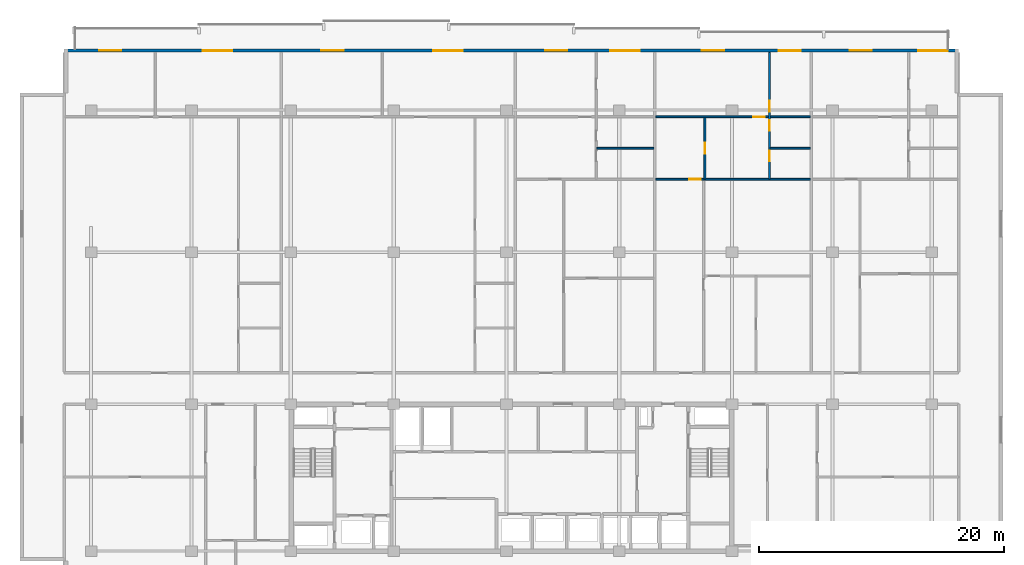
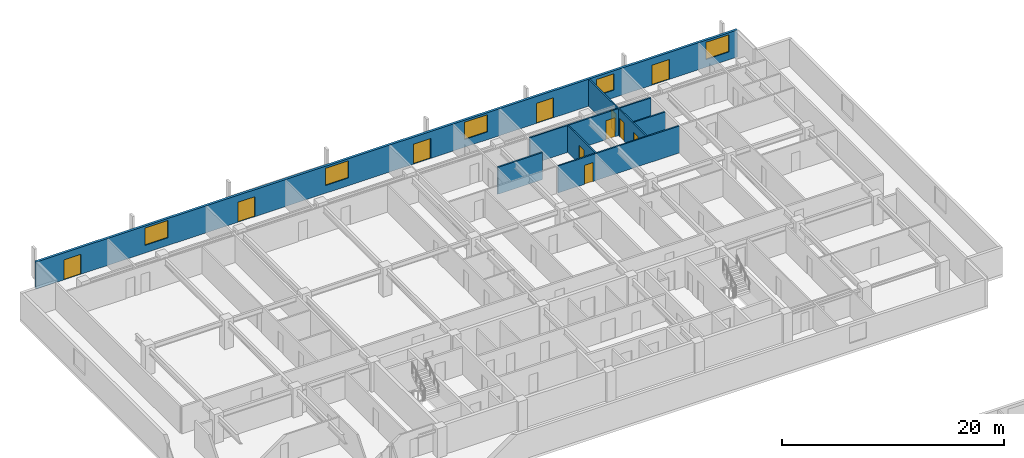
# One storey, part 14 of 21: 11 doors, 7 walls, 5 windows, 16 openings.
"""IFC4 building model written with IfcOpenShell, lengths in metres."""

from ifc_helpers import new_model, si_unit, direction, frame, frame_2d, origin, place, context, subcontext, project, spatial, rectangle, extrude, material, layer, layer_set, type_object, element, fill, save


model = new_model("IFC4")

# Units and contexts
model_context = context("Model", 3, precision=1e-05, world=origin(), true_north=direction((0.0, 1.0)))
body_context = subcontext(model_context, "Body", "Model", "MODEL_VIEW")
ifc_project = project(units=[si_unit("LENGTHUNIT", "METRE"), si_unit("AREAUNIT", "SQUARE_METRE"), si_unit("VOLUMEUNIT", "CUBIC_METRE"), si_unit("PLANEANGLEUNIT", "RADIAN"), si_unit("MASSUNIT", "GRAM", prefix="KILO")], contexts=[model_context])

# Site, building, storey
site_placement = place(None, origin())
site = spatial("IfcSite", under=ifc_project, at=site_placement, CompositionType="ELEMENT")
building_placement = place(site_placement, origin())
building = spatial("IfcBuilding", under=site, at=building_placement, Name="Korimba Cascade Residences", CompositionType="ELEMENT")
storey_placement = place(building_placement, frame((0.0, 0.0, 106.800048828125)))
storey = spatial("IfcBuildingStorey", under=building, at=storey_placement, Name="L30", CompositionType="ELEMENT", Elevation=106.800048828125)

# Wall, openings, doors, windows
ifc_material_1 = material(Name="Precast concrete C40/50", Category="concrete")
ifc_layer_1 = layer(ifc_material_1, 0.25)
ifc_layer_set_1 = layer_set([ifc_layer_1], Name="Precast concrete C40/50")
wall_type_1 = type_object("IfcWallType", Name="EW-LOG-250", PredefinedType="STANDARD", material=ifc_layer_set_1)
wall_1_placement = place(storey_placement, frame((130.60009765625, 96.050048828125, 0.0), z_axis=(0.0, 0.0, 1.0), x_axis=(-1.0, 0.0, 0.0)))
wall_1 = element("IfcWall", 1, at=wall_1_placement, inside=storey, type_object=wall_type_1, Name="L30 T1 Perimeter Stone Wall E06", PredefinedType="STANDARD", context=body_context, shape_type="SweptSolid", body=[
    extrude(rectangle(XDim=73.0, YDim=0.25, at=frame_2d((36.5, 0.0))), origin(), (0.0, 0.0, 1.0), 2.969970703125),
])
opening_1_placement = place(wall_1_placement, frame((68.31884765625, 0.0, 0.0)))
opening_1 = element("IfcOpeningElement", 2, at=opening_1_placement, cuts=wall_1, Name="Opening D-LG1", PredefinedType="OPENING", context=body_context, shape_type="SweptSolid", body=[
    extrude(rectangle(XDim=1.800048828125, YDim=2.199951171875, at=frame_2d((0.89990234375, 1.10009765625))), frame((0.0, 0.135009765625, 0.0), z_axis=(0.0, -1.0, 0.0), x_axis=(1.0, 0.0, 0.0)), (0.0, 0.0, 1.0), 0.27001953125),
])
opening_2_placement = place(wall_1_placement, frame((59.276611328125, 0.0, 0.85009765625)))
opening_2 = element("IfcOpeningElement", 3, at=opening_2_placement, cuts=wall_1, Name="Opening W-01", PredefinedType="OPENING", context=body_context, shape_type="SweptSolid", body=[
    extrude(rectangle(XDim=2.39990234375, YDim=1.89990234375, at=frame_2d((1.199951171875, 0.949951171875))), frame((0.0, 0.135009765625, 0.0), z_axis=(0.0, -1.0, 0.0), x_axis=(1.0, 0.0, 0.0)), (0.0, 0.0, 1.0), 0.27001953125),
])
opening_3_placement = place(wall_1_placement, frame((50.198974609375, 0.0, 0.0)))
opening_3 = element("IfcOpeningElement", 4, at=opening_3_placement, cuts=wall_1, Name="Opening D-LG1", PredefinedType="OPENING", context=body_context, shape_type="SweptSolid", body=[
    extrude(rectangle(XDim=1.800048828125, YDim=2.199951171875, at=frame_2d((0.89990234375, 1.10009765625))), frame((0.0, 0.135009765625, 0.0), z_axis=(0.0, -1.0, 0.0), x_axis=(1.0, 0.0, 0.0)), (0.0, 0.0, 1.0), 0.27001953125),
])
opening_4_placement = place(wall_1_placement, frame((40.48095703125, 0.0, 0.85009765625)))
opening_4 = element("IfcOpeningElement", 5, at=opening_4_placement, cuts=wall_1, Name="Opening W-01", PredefinedType="OPENING", context=body_context, shape_type="SweptSolid", body=[
    extrude(rectangle(XDim=2.39990234375, YDim=1.89990234375, at=frame_2d((1.199951171875, 0.949951171875))), frame((0.0, 0.135009765625, 0.0), z_axis=(0.0, -1.0, 0.0), x_axis=(1.0, 0.0, 0.0)), (0.0, 0.0, 1.0), 0.27001953125),
])
opening_5_placement = place(wall_1_placement, frame((31.9296875, 0.0, 0.0)))
opening_5 = element("IfcOpeningElement", 6, at=opening_5_placement, cuts=wall_1, Name="Opening D-LG1", PredefinedType="OPENING", context=body_context, shape_type="SweptSolid", body=[
    extrude(rectangle(XDim=1.800048828125, YDim=2.199951171875, at=frame_2d((0.89990234375, 1.10009765625))), frame((0.0, 0.135009765625, 0.0), z_axis=(0.0, -1.0, 0.0), x_axis=(1.0, 0.0, 0.0)), (0.0, 0.0, 1.0), 0.27001953125),
])
opening_6_placement = place(wall_1_placement, frame((26.041748046875, 0.0, 0.85009765625)))
opening_6 = element("IfcOpeningElement", 7, at=opening_6_placement, cuts=wall_1, Name="Opening W-01", PredefinedType="OPENING", context=body_context, shape_type="SweptSolid", body=[
    extrude(rectangle(XDim=2.39990234375, YDim=1.89990234375, at=frame_2d((1.199951171875, 0.949951171875))), frame((0.0, 0.135009765625, 0.0), z_axis=(0.0, -1.0, 0.0), x_axis=(1.0, 0.0, 0.0)), (0.0, 0.0, 1.0), 0.27001953125),
])
opening_7_placement = place(wall_1_placement, frame((19.149658203125, 0.0, 0.0)))
opening_7 = element("IfcOpeningElement", 8, at=opening_7_placement, cuts=wall_1, Name="Opening D-LG1", PredefinedType="OPENING", context=body_context, shape_type="SweptSolid", body=[
    extrude(rectangle(XDim=1.800048828125, YDim=2.199951171875, at=frame_2d((0.89990234375, 1.10009765625))), frame((0.0, 0.135009765625, 0.0), z_axis=(0.0, -1.0, 0.0), x_axis=(1.0, 0.0, 0.0)), (0.0, 0.0, 1.0), 0.27001953125),
])
opening_8_placement = place(wall_1_placement, frame((12.885986328125, 0.0, 0.85009765625)))
opening_8 = element("IfcOpeningElement", 9, at=opening_8_placement, cuts=wall_1, Name="Opening W-02", PredefinedType="OPENING", context=body_context, shape_type="SweptSolid", body=[
    extrude(rectangle(XDim=1.800048828125, YDim=1.800048828125, at=frame_2d((0.89990234375, 0.89990234375))), frame((0.0, 0.135009765625, 0.0), z_axis=(0.0, -1.0, 0.0), x_axis=(1.0, 0.0, 0.0)), (0.0, 0.0, 1.0), 0.27001953125),
])
opening_9_placement = place(wall_1_placement, frame((7.087890625, 0.0, 0.0)))
opening_9 = element("IfcOpeningElement", 10, at=opening_9_placement, cuts=wall_1, Name="Opening D-LG1", PredefinedType="OPENING", context=body_context, shape_type="SweptSolid", body=[
    extrude(rectangle(XDim=1.800048828125, YDim=2.199951171875, at=frame_2d((0.89990234375, 1.10009765625))), frame((0.0, 0.135009765625, 0.0), z_axis=(0.0, -1.0, 0.0), x_axis=(1.0, 0.0, 0.0)), (0.0, 0.0, 1.0), 0.27001953125),
])
opening_10_placement = place(wall_1_placement, frame((0.89990234375, 0.0, 0.85009765625)))
opening_10 = element("IfcOpeningElement", 11, at=opening_10_placement, cuts=wall_1, Name="Opening W-01", PredefinedType="OPENING", context=body_context, shape_type="SweptSolid", body=[
    extrude(rectangle(XDim=2.39990234375, YDim=1.89990234375, at=frame_2d((1.199951171875, 0.949951171875))), frame((0.0, 0.135009765625, 0.0), z_axis=(0.0, -1.0, 0.0), x_axis=(1.0, 0.0, 0.0)), (0.0, 0.0, 1.0), 0.27001953125),
])
ifc_material_2 = material(Name="Glazed Aluminium Loggia Sliding Door", Category="aluminium")
door_type_1 = type_object("IfcDoorType", Name="DR-EXT-LOG", OperationType="NOTDEFINED", PredefinedType="DOOR", material=ifc_material_2)
door_1_placement = place(opening_1_placement, origin())
door_1 = element("IfcDoor", 12, at=door_1_placement, inside=storey, type_object=door_type_1, Name="L30 T1 Loggia Sliding Door 3", OperationType="SLIDING_TO_LEFT", OverallHeight=2.199951171875, OverallWidth=1.800048828125, PredefinedType="DOOR", context=body_context, shape_type="SweptSolid", body=[
    extrude(rectangle(XDim=1.800048828125, YDim=2.199951171875, at=frame_2d((0.89990234375, 1.10009765625))), frame((0.0, 0.02490234375, 0.0), z_axis=(0.0, -1.0, 0.0), x_axis=(1.0, 0.0, 0.0)), (0.0, 0.0, 1.0), 0.050048828125),
])
fill(opening_1, door_1)
door_2_placement = place(opening_3_placement, origin())
door_2 = element("IfcDoor", 13, at=door_2_placement, inside=storey, type_object=door_type_1, Name="L30 T1 Loggia Sliding Door 5", OperationType="SLIDING_TO_LEFT", OverallHeight=2.199951171875, OverallWidth=1.800048828125, PredefinedType="DOOR", context=body_context, shape_type="SweptSolid", body=[
    extrude(rectangle(XDim=1.800048828125, YDim=2.199951171875, at=frame_2d((0.89990234375, 1.10009765625))), frame((0.0, 0.02490234375, 0.0), z_axis=(0.0, -1.0, 0.0), x_axis=(1.0, 0.0, 0.0)), (0.0, 0.0, 1.0), 0.050048828125),
])
fill(opening_3, door_2)
door_3_placement = place(opening_5_placement, origin())
door_3 = element("IfcDoor", 14, at=door_3_placement, inside=storey, type_object=door_type_1, Name="L30 T1 Loggia Sliding Door 7", OperationType="SLIDING_TO_LEFT", OverallHeight=2.199951171875, OverallWidth=1.800048828125, PredefinedType="DOOR", context=body_context, shape_type="SweptSolid", body=[
    extrude(rectangle(XDim=1.800048828125, YDim=2.199951171875, at=frame_2d((0.89990234375, 1.10009765625))), frame((0.0, 0.02490234375, 0.0), z_axis=(0.0, -1.0, 0.0), x_axis=(1.0, 0.0, 0.0)), (0.0, 0.0, 1.0), 0.050048828125),
])
fill(opening_5, door_3)
door_4_placement = place(opening_7_placement, origin())
door_4 = element("IfcDoor", 15, at=door_4_placement, inside=storey, type_object=door_type_1, Name="L30 T1 Loggia Sliding Door 9", OperationType="SLIDING_TO_LEFT", OverallHeight=2.199951171875, OverallWidth=1.800048828125, PredefinedType="DOOR", context=body_context, shape_type="SweptSolid", body=[
    extrude(rectangle(XDim=1.800048828125, YDim=2.199951171875, at=frame_2d((0.89990234375, 1.10009765625))), frame((0.0, 0.02490234375, 0.0), z_axis=(0.0, -1.0, 0.0), x_axis=(1.0, 0.0, 0.0)), (0.0, 0.0, 1.0), 0.050048828125),
])
fill(opening_7, door_4)
door_5_placement = place(opening_9_placement, origin())
door_5 = element("IfcDoor", 16, at=door_5_placement, inside=storey, type_object=door_type_1, Name="L30 T1 Loggia Sliding Door 11", OperationType="SLIDING_TO_LEFT", OverallHeight=2.199951171875, OverallWidth=1.800048828125, PredefinedType="DOOR", context=body_context, shape_type="SweptSolid", body=[
    extrude(rectangle(XDim=1.800048828125, YDim=2.199951171875, at=frame_2d((0.89990234375, 1.10009765625))), frame((0.0, 0.02490234375, 0.0), z_axis=(0.0, -1.0, 0.0), x_axis=(1.0, 0.0, 0.0)), (0.0, 0.0, 1.0), 0.050048828125),
])
fill(opening_9, door_5)
ifc_material_3 = material(Name="Double-Glazed Aluminium Window", Category="aluminium")
window_type_1 = type_object("IfcWindowType", Name="WIN-BED-1800", PartitioningType="SINGLE_PANEL", PredefinedType="WINDOW", material=ifc_material_3)
window_1_placement = place(opening_8_placement, origin())
window_1 = element("IfcWindow", 17, at=window_1_placement, inside=storey, type_object=window_type_1, Name="L30 T1 North Facade Window 10", OverallHeight=1.800048828125, OverallWidth=1.800048828125, PartitioningType="SINGLE_PANEL", PredefinedType="WINDOW", context=body_context, shape_type="SweptSolid", body=[
    extrude(rectangle(XDim=1.800048828125, YDim=1.800048828125, at=frame_2d((0.89990234375, 0.89990234375))), frame((0.0, 0.030029296875, 0.0), z_axis=(0.0, -1.0, 0.0), x_axis=(1.0, 0.0, 0.0)), (0.0, 0.0, 1.0), 0.06005859375),
])
fill(opening_8, window_1)
window_type_2 = type_object("IfcWindowType", Name="WIN-RES-2400", PartitioningType="DOUBLE_PANEL_VERTICAL", PredefinedType="WINDOW", material=ifc_material_3)
window_2_placement = place(opening_2_placement, origin())
window_2 = element("IfcWindow", 18, at=window_2_placement, inside=storey, type_object=window_type_2, Name="L30 T1 North Facade Window 4", OverallHeight=1.89990234375, OverallWidth=2.39990234375, PartitioningType="DOUBLE_PANEL_VERTICAL", PredefinedType="WINDOW", context=body_context, shape_type="SweptSolid", body=[
    extrude(rectangle(XDim=2.39990234375, YDim=1.89990234375, at=frame_2d((1.199951171875, 0.949951171875))), frame((0.0, 0.030029296875, 0.0), z_axis=(0.0, -1.0, 0.0), x_axis=(1.0, 0.0, 0.0)), (0.0, 0.0, 1.0), 0.06005859375),
])
fill(opening_2, window_2)
window_3_placement = place(opening_4_placement, origin())
window_3 = element("IfcWindow", 19, at=window_3_placement, inside=storey, type_object=window_type_2, Name="L30 T1 North Facade Window 6", OverallHeight=1.89990234375, OverallWidth=2.39990234375, PartitioningType="DOUBLE_PANEL_VERTICAL", PredefinedType="WINDOW", context=body_context, shape_type="SweptSolid", body=[
    extrude(rectangle(XDim=2.39990234375, YDim=1.89990234375, at=frame_2d((1.199951171875, 0.949951171875))), frame((0.0, 0.030029296875, 0.0), z_axis=(0.0, -1.0, 0.0), x_axis=(1.0, 0.0, 0.0)), (0.0, 0.0, 1.0), 0.06005859375),
])
fill(opening_4, window_3)
window_4_placement = place(opening_6_placement, origin())
window_4 = element("IfcWindow", 20, at=window_4_placement, inside=storey, type_object=window_type_2, Name="L30 T1 North Facade Window 8", OverallHeight=1.89990234375, OverallWidth=2.39990234375, PartitioningType="DOUBLE_PANEL_VERTICAL", PredefinedType="WINDOW", context=body_context, shape_type="SweptSolid", body=[
    extrude(rectangle(XDim=2.39990234375, YDim=1.89990234375, at=frame_2d((1.199951171875, 0.949951171875))), frame((0.0, 0.030029296875, 0.0), z_axis=(0.0, -1.0, 0.0), x_axis=(1.0, 0.0, 0.0)), (0.0, 0.0, 1.0), 0.06005859375),
])
fill(opening_6, window_4)
window_5_placement = place(opening_10_placement, origin())
window_5 = element("IfcWindow", 21, at=window_5_placement, inside=storey, type_object=window_type_2, Name="L30 T1 North Facade Window 12", OverallHeight=1.89990234375, OverallWidth=2.39990234375, PartitioningType="DOUBLE_PANEL_VERTICAL", PredefinedType="WINDOW", context=body_context, shape_type="SweptSolid", body=[
    extrude(rectangle(XDim=2.39990234375, YDim=1.89990234375, at=frame_2d((1.199951171875, 0.949951171875))), frame((0.0, 0.030029296875, 0.0), z_axis=(0.0, -1.0, 0.0), x_axis=(1.0, 0.0, 0.0)), (0.0, 0.0, 1.0), 0.06005859375),
])
fill(opening_10, window_5)

# Wall
ifc_material_4 = material(Name="Insulated Acoustic Stud Partition", Category="gypsum")
ifc_layer_2 = layer(ifc_material_4, 0.14990234375)
ifc_layer_set_2 = layer_set([ifc_layer_2], Name="Insulated Acoustic Stud Partition")
wall_type_2 = type_object("IfcWallType", Name="WAL-PART-150", PredefinedType="PARTITIONING", material=ifc_layer_set_2)
wall_2_placement = place(storey_placement, frame((101.080078125, 88.090087890625, 0.0), z_axis=(0.0, 0.0, 1.0), x_axis=(1.0, 0.0, 0.0)))
element("IfcWall", 22, at=wall_2_placement, inside=storey, type_object=wall_type_2, Name="L30 Partition Wall WAL-L30-T1-U03-BLDIV", PredefinedType="PARTITIONING", context=body_context, shape_type="SweptSolid", body=[
    extrude(rectangle(XDim=4.656494140625, YDim=0.14990234375, at=frame_2d((2.328125, 0.0))), origin(), (0.0, 0.0, 1.0), 2.969970703125),
])

# Wall, opening, door
wall_3_placement = place(storey_placement, frame((109.88671875, 85.590087890625, 0.0), z_axis=(0.0, 0.0, 1.0), x_axis=(0.0, 1.0, 0.0)))
wall_3 = element("IfcWall", 23, at=wall_3_placement, inside=storey, type_object=wall_type_2, Name="L30 Partition Wall WAL-L30-T1-U04-VDIN", PredefinedType="PARTITIONING", context=body_context, shape_type="SweptSolid", body=[
    extrude(rectangle(XDim=5.0, YDim=0.14990234375, at=frame_2d((2.5, 0.0))), origin(), (0.0, 0.0, 1.0), 2.969970703125),
])
opening_11_placement = place(wall_3_placement, frame((2.06005859375, 0.0, 0.0)))
opening_11 = element("IfcOpeningElement", 24, at=opening_11_placement, cuts=wall_3, Name="Opening D-IN2", PredefinedType="OPENING", context=body_context, shape_type="SweptSolid", body=[
    extrude(rectangle(XDim=0.8798828125, YDim=2.06005859375, at=frame_2d((0.43994140625, 1.030029296875))), frame((0.0, 0.0849609375, 0.0), z_axis=(0.0, -1.0, 0.0), x_axis=(1.0, 0.0, 0.0)), (0.0, 0.0, 1.0), 0.169921875),
])
ifc_material_5 = material(Name="Acoustic Timber Bedroom Door", Category="wood")
door_type_2 = type_object("IfcDoorType", Name="DR-INT-880", OperationType="NOTDEFINED", PredefinedType="DOOR", material=ifc_material_5)
door_6_placement = place(opening_11_placement, origin())
door_6 = element("IfcDoor", 25, at=door_6_placement, inside=storey, type_object=door_type_2, Name="L30-T1-U04 Dining Room Door", OperationType="SINGLE_SWING_LEFT", OverallHeight=2.06005859375, OverallWidth=0.8798828125, PredefinedType="DOOR", context=body_context, shape_type="SweptSolid", body=[
    extrude(rectangle(XDim=0.8798828125, YDim=2.06005859375, at=frame_2d((0.43994140625, 1.030029296875))), frame((0.0, 0.02490234375, 0.0), z_axis=(0.0, -1.0, 0.0), x_axis=(1.0, 0.0, 0.0)), (0.0, 0.0, 1.0), 0.050048828125),
])
fill(opening_11, door_6)

# Wall
wall_4_placement = place(storey_placement, frame((115.223876953125, 88.090087890625, 0.0), z_axis=(0.0, 0.0, 1.0), x_axis=(1.0, 0.0, 0.0)))
element("IfcWall", 26, at=wall_4_placement, inside=storey, type_object=wall_type_2, Name="L30 Partition Wall WAL-L30-T1-U04-BLDIV", PredefinedType="PARTITIONING", context=body_context, shape_type="SweptSolid", body=[
    extrude(rectangle(XDim=3.280029296875, YDim=0.14990234375, at=frame_2d((1.64013671875, 0.0))), origin(), (0.0, 0.0, 1.0), 2.969970703125),
])

# Wall, openings, doors
wall_5_placement = place(storey_placement, frame((115.163818359375, 85.590087890625, 0.0), z_axis=(0.0, 0.0, 1.0), x_axis=(0.0, 1.0, 0.0)))
wall_5 = element("IfcWall", 27, at=wall_5_placement, inside=storey, type_object=wall_type_2, Name="L30 Partition Wall WAL-L30-T1-U04-V1", PredefinedType="PARTITIONING", context=body_context, shape_type="SweptSolid", body=[
    extrude(rectangle(XDim=10.309814453125, YDim=0.14990234375, at=frame_2d((5.15478515625, 0.0))), origin(), (0.0, 0.0, 1.0), 2.969970703125),
])
opening_12_placement = place(wall_5_placement, frame((1.430419921875, 0.0, 0.0)))
opening_12 = element("IfcOpeningElement", 28, at=opening_12_placement, cuts=wall_5, Name="Opening D-BT1", PredefinedType="OPENING", context=body_context, shape_type="SweptSolid", body=[
    extrude(rectangle(XDim=0.840087890625, YDim=2.0400390625, at=frame_2d((0.419921875, 1.02001953125))), frame((0.0, 0.0849609375, 0.0), z_axis=(0.0, -1.0, 0.0), x_axis=(1.0, 0.0, 0.0)), (0.0, 0.0, 1.0), 0.169921875),
])
opening_13_placement = place(wall_5_placement, frame((3.919921875, 0.0, 0.0)))
opening_13 = element("IfcOpeningElement", 29, at=opening_13_placement, cuts=wall_5, Name="Opening D-BT1", PredefinedType="OPENING", context=body_context, shape_type="SweptSolid", body=[
    extrude(rectangle(XDim=0.840087890625, YDim=2.0400390625, at=frame_2d((0.419921875, 1.02001953125))), frame((0.0, 0.0849609375, 0.0), z_axis=(0.0, -1.0, 0.0), x_axis=(1.0, 0.0, 0.0)), (0.0, 0.0, 1.0), 0.169921875),
])
opening_14_placement = place(wall_5_placement, frame((5.47998046875, 0.0, 0.0)))
opening_14 = element("IfcOpeningElement", 30, at=opening_14_placement, cuts=wall_5, Name="Opening D-IN2", PredefinedType="OPENING", context=body_context, shape_type="SweptSolid", body=[
    extrude(rectangle(XDim=0.8798828125, YDim=2.06005859375, at=frame_2d((0.43994140625, 1.030029296875))), frame((0.0, 0.0849609375, 0.0), z_axis=(0.0, -1.0, 0.0), x_axis=(1.0, 0.0, 0.0)), (0.0, 0.0, 1.0), 0.169921875),
])
ifc_material_6 = material(Name="Moisture-Resistant Bathroom Timber Door", Category="wood")
door_type_3 = type_object("IfcDoorType", Name="DR-INT-850", OperationType="NOTDEFINED", PredefinedType="DOOR", material=ifc_material_6)
door_7_placement = place(opening_12_placement, origin())
door_7 = element("IfcDoor", 31, at=door_7_placement, inside=storey, type_object=door_type_3, Name="L30-T1-U04 Bathroom Door", OperationType="SINGLE_SWING_RIGHT", OverallHeight=2.0400390625, OverallWidth=0.840087890625, PredefinedType="DOOR", context=body_context, shape_type="SweptSolid", body=[
    extrude(rectangle(XDim=0.840087890625, YDim=2.0400390625, at=frame_2d((0.419921875, 1.02001953125))), frame((0.0, 0.02490234375, 0.0), z_axis=(0.0, -1.0, 0.0), x_axis=(1.0, 0.0, 0.0)), (0.0, 0.0, 1.0), 0.050048828125),
])
fill(opening_12, door_7)
door_8_placement = place(opening_13_placement, origin())
door_8 = element("IfcDoor", 32, at=door_8_placement, inside=storey, type_object=door_type_3, Name="L30-T1-U04 Laundry Door", OperationType="SINGLE_SWING_LEFT", OverallHeight=2.0400390625, OverallWidth=0.840087890625, PredefinedType="DOOR", context=body_context, shape_type="SweptSolid", body=[
    extrude(rectangle(XDim=0.840087890625, YDim=2.0400390625, at=frame_2d((0.419921875, 1.02001953125))), frame((0.0, 0.02490234375, 0.0), z_axis=(0.0, -1.0, 0.0), x_axis=(1.0, 0.0, 0.0)), (0.0, 0.0, 1.0), 0.050048828125),
])
fill(opening_13, door_8)
door_9_placement = place(opening_14_placement, origin())
door_9 = element("IfcDoor", 33, at=door_9_placement, inside=storey, type_object=door_type_2, Name="L30-T1-U04 Bedroom 1 Door", OperationType="SINGLE_SWING_RIGHT", OverallHeight=2.06005859375, OverallWidth=0.8798828125, PredefinedType="DOOR", context=body_context, shape_type="SweptSolid", body=[
    extrude(rectangle(XDim=0.8798828125, YDim=2.06005859375, at=frame_2d((0.43994140625, 1.030029296875))), frame((0.0, 0.02490234375, 0.0), z_axis=(0.0, -1.0, 0.0), x_axis=(1.0, 0.0, 0.0)), (0.0, 0.0, 1.0), 0.050048828125),
])
fill(opening_14, door_9)

# Wall, opening, door
wall_6_placement = place(storey_placement, frame((105.896484375, 85.550048828125, 0.0), z_axis=(0.0, 0.0, 1.0), x_axis=(1.0, 0.0, 0.0)))
wall_6 = element("IfcWall", 34, at=wall_6_placement, inside=storey, type_object=wall_type_2, Name="L30 Partition Wall WAL-L30-T1-U04-MW", PredefinedType="PARTITIONING", context=body_context, shape_type="SweptSolid", body=[
    extrude(rectangle(XDim=12.607421875, YDim=0.14990234375, at=frame_2d((6.3037109375, 0.0))), origin(), (0.0, 0.0, 1.0), 2.969970703125),
])
opening_15_placement = place(wall_6_placement, frame((2.719970703125, 0.0, 0.0)))
opening_15 = element("IfcOpeningElement", 35, at=opening_15_placement, cuts=wall_6, Name="Opening D-IN1", PredefinedType="OPENING", context=body_context, shape_type="SweptSolid", body=[
    extrude(rectangle(XDim=0.919921875, YDim=2.080078125, at=frame_2d((0.4599609375, 1.0400390625))), frame((0.0, 0.0849609375, 0.0), z_axis=(0.0, -1.0, 0.0), x_axis=(1.0, 0.0, 0.0)), (0.0, 0.0, 1.0), 0.169921875),
])
ifc_material_7 = material(Name="Acoustic Timber Living Door", Category="wood")
door_type_4 = type_object("IfcDoorType", Name="DR-INT-920", OperationType="NOTDEFINED", PredefinedType="DOOR", material=ifc_material_7)
door_10_placement = place(opening_15_placement, origin())
door_10 = element("IfcDoor", 36, at=door_10_placement, inside=storey, type_object=door_type_4, Name="L30-T1-U04 Kitchen Archway Door", OperationType="SINGLE_SWING_LEFT", OverallHeight=2.080078125, OverallWidth=0.919921875, PredefinedType="DOOR", context=body_context, shape_type="SweptSolid", body=[
    extrude(rectangle(XDim=0.919921875, YDim=2.080078125, at=frame_2d((0.4599609375, 1.0400390625))), frame((0.0, 0.02490234375, 0.0), z_axis=(0.0, -1.0, 0.0), x_axis=(1.0, 0.0, 0.0)), (0.0, 0.0, 1.0), 0.050048828125),
])
fill(opening_15, door_10)

wall_7_placement = place(storey_placement, frame((105.896484375, 90.64990234375, 0.0), z_axis=(0.0, 0.0, 1.0), x_axis=(1.0, 0.0, 0.0)))
wall_7 = element("IfcWall", 37, at=wall_7_placement, inside=storey, type_object=wall_type_2, Name="L30 Partition Wall WAL-L30-T1-U04-HZ", PredefinedType="PARTITIONING", context=body_context, shape_type="SweptSolid", body=[
    extrude(rectangle(XDim=12.607421875, YDim=0.14990234375, at=frame_2d((6.3037109375, 0.0))), origin(), (0.0, 0.0, 1.0), 2.969970703125),
])
opening_16_placement = place(wall_7_placement, frame((7.9208984375, 0.0, 0.0)))
opening_16 = element("IfcOpeningElement", 38, at=opening_16_placement, cuts=wall_7, Name="Opening D-IN0", PredefinedType="OPENING", context=body_context, shape_type="SweptSolid", body=[
    extrude(rectangle(XDim=0.93994140625, YDim=2.10009765625, at=frame_2d((0.469970703125, 1.050048828125))), frame((0.0, 0.0849609375, 0.0), z_axis=(0.0, -1.0, 0.0), x_axis=(1.0, 0.0, 0.0)), (0.0, 0.0, 1.0), 0.169921875),
])
ifc_material_8 = material(Name="Acoustic Timber Living Archway Door", Category="wood")
door_type_5 = type_object("IfcDoorType", Name="DR-INT-950", OperationType="NOTDEFINED", PredefinedType="DOOR", material=ifc_material_8)
door_11_placement = place(opening_16_placement, origin())
door_11 = element("IfcDoor", 39, at=door_11_placement, inside=storey, type_object=door_type_5, Name="L30-T1-U04 Living Archway Door", OperationType="SINGLE_SWING_RIGHT", OverallHeight=2.10009765625, OverallWidth=0.93994140625, PredefinedType="DOOR", context=body_context, shape_type="SweptSolid", body=[
    extrude(rectangle(XDim=0.93994140625, YDim=2.10009765625, at=frame_2d((0.469970703125, 1.050048828125))), frame((0.0, 0.02490234375, 0.0), z_axis=(0.0, -1.0, 0.0), x_axis=(1.0, 0.0, 0.0)), (0.0, 0.0, 1.0), 0.050048828125),
])
fill(opening_16, door_11)

save(model, "model.ifc")
